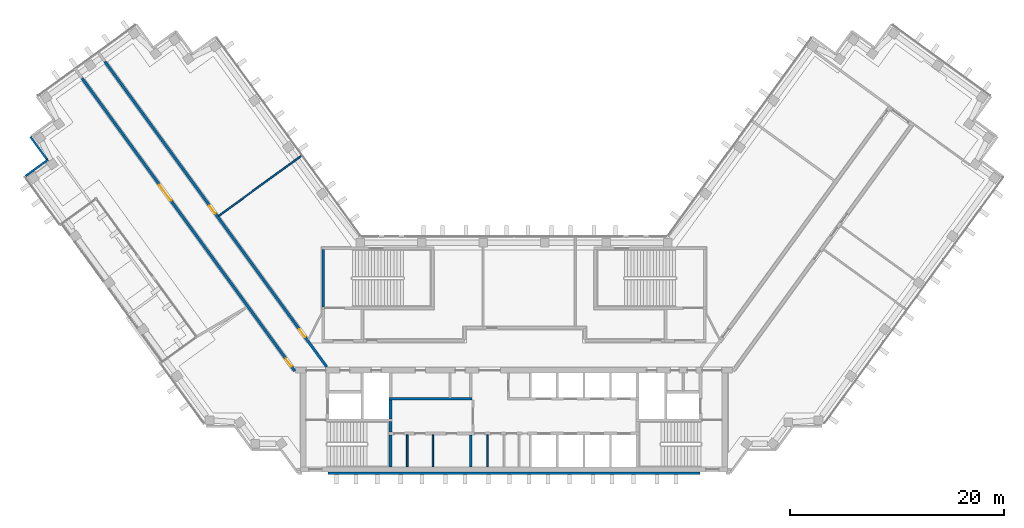
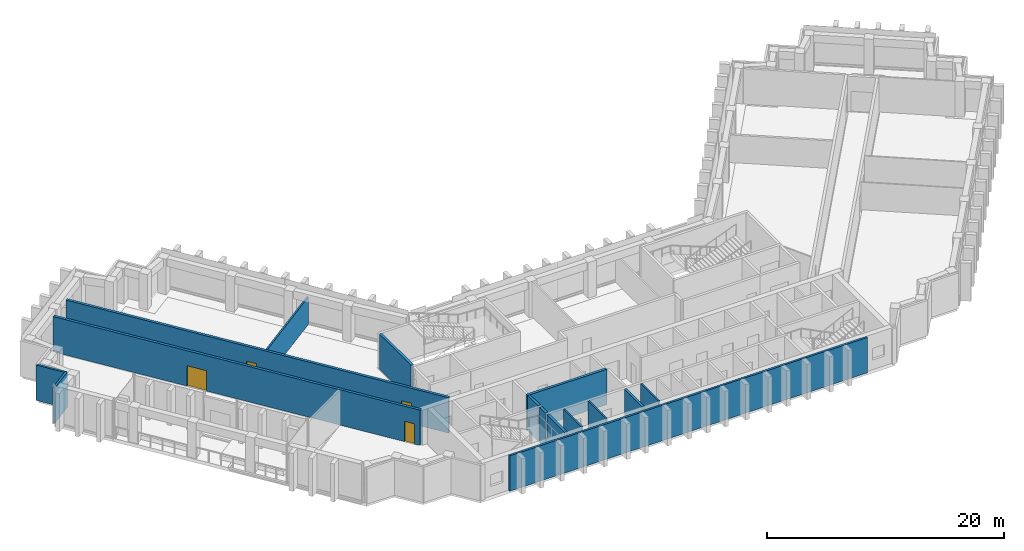
# One storey, part 6 of 13: 15 walls, 4 doors, 4 openings.
"""IFC4 building model written with IfcOpenShell, lengths in metres."""

import ifcopenshell
import ifcopenshell.guid

model = None  # the IFC model being written
_history = None  # IfcOwnerHistory: only IFC2X3 demands one
_inside = {}  # id of a spatial element -> (the spatial element, [elements in it])
_under = {}  # id of a project, library or spatial element -> (it, [spatial elements below it])
_declared = {}  # id of a project -> (the project, [libraries it declares])
_typed = {}  # id of a type object -> (the type object, [elements of that type])
_made_of = {}  # id of a material, layer set ... -> (it, [elements and type objects made of it])


def new_model(schema):
    """Start an empty IFC model of exactly this schema.

    Asked for "IFC4X3", IfcOpenShell would pick the latest addendum, in which some entities
    have other attributes; the version numbers below select the first issue.
    IFC2X3 requires an IfcOwnerHistory on every rooted entity: one is made here for all.
    """
    global model, _history
    if schema == "IFC4X3":
        model = ifcopenshell.file(schema_version=(4, 3, 0, 0))
    else:
        model = ifcopenshell.file(schema=schema)
    _inside.clear()
    _under.clear()
    _declared.clear()
    _typed.clear()
    _made_of.clear()
    _history = None
    if model.schema == "IFC2X3":
        org = make("IfcOrganization", Name="unknown")
        user = make(
            "IfcPersonAndOrganization",
            ThePerson=make("IfcPerson", FamilyName="unknown"),
            TheOrganization=org,
        )
        app = make(
            "IfcApplication",
            ApplicationDeveloper=org,
            Version="unknown",
            ApplicationFullName="unknown",
            ApplicationIdentifier="unknown",
        )
        _history = make(
            "IfcOwnerHistory",
            OwningUser=user,
            OwningApplication=app,
            ChangeAction="ADDED",
            CreationDate=0,
        )
    return model


def make(cls, **values):
    """One entity of the class cls with the attributes given. An attribute that is None is left unset."""
    return model.create_entity(
        cls, **{name: value for name, value in values.items() if value is not None}
    )


def rooted(cls, **values):
    """An entity with a GlobalId (a new one), such as an element, a storey or a relation."""
    return make(cls, GlobalId=ifcopenshell.guid.new(), OwnerHistory=_history, **values)


def si_unit(unit_type, name, prefix=None):
    """IfcSIUnit, for example si_unit("LENGTHUNIT", "METRE", prefix="MILLI")."""
    return make("IfcSIUnit", UnitType=unit_type, Prefix=prefix, Name=name)


def assignment(units):
    """IfcUnitAssignment: the units of a project."""
    return None if units is None else make("IfcUnitAssignment", Units=units)


def point(xyz):
    """IfcCartesianPoint."""
    return None if xyz is None else make("IfcCartesianPoint", Coordinates=xyz)


def direction(xyz):
    """IfcDirection."""
    return None if xyz is None else make("IfcDirection", DirectionRatios=xyz)


def frame(location, z_axis=None, x_axis=None):
    """IfcAxis2Placement3D, a coordinate frame: its origin and axes. An axis left out is left unset."""
    return make(
        "IfcAxis2Placement3D",
        Location=point(location),
        Axis=direction(z_axis),
        RefDirection=direction(x_axis),
    )


def frame_2d(location, x_axis=None):
    """IfcAxis2Placement2D, a coordinate frame in the plane: its origin and x axis."""
    return make(
        "IfcAxis2Placement2D", Location=point(location), RefDirection=direction(x_axis)
    )


def origin():
    """The frame at (0, 0, 0) with its axes left unset."""
    return frame((0.0, 0.0, 0.0))


def place(relative_to, where):
    """IfcLocalPlacement: puts the frame where relative to a parent placement (None: the world)."""
    return make(
        "IfcLocalPlacement", PlacementRelTo=relative_to, RelativePlacement=where
    )


def context(
    kind, dimensions, precision=None, world=None, true_north=None, identifier=None
):
    """IfcGeometricRepresentationContext, for example the 3D "Model" context."""
    return make(
        "IfcGeometricRepresentationContext",
        ContextIdentifier=identifier,
        ContextType=kind,
        CoordinateSpaceDimension=dimensions,
        Precision=precision,
        WorldCoordinateSystem=world,
        TrueNorth=true_north,
    )


def subcontext(parent, identifier, kind, view, scale=None):
    """IfcGeometricRepresentationSubContext, for example "Body" below "Model"."""
    return make(
        "IfcGeometricRepresentationSubContext",
        ContextIdentifier=identifier,
        ContextType=kind,
        ParentContext=parent,
        TargetScale=scale,
        TargetView=view,
    )


def project(units=None, contexts=None):
    """IfcProject with its units and contexts."""
    return rooted(
        "IfcProject",
        Name="project",
        RepresentationContexts=contexts,
        UnitsInContext=assignment(units),
    )


def spatial(cls, under=None, at=None, **own):
    """A site, building, storey or space (cls), placed at a placement, below another one or the project."""
    s = rooted(cls, ObjectPlacement=at, **own)
    if under is not None:
        _under.setdefault(under.id(), (under, []))[1].append(s)
    return s


def profile(cls, at=None, kind="AREA", **sizes):
    """A parametric profile (cls). Its sizes go by their IFC names, for example OverallWidth=200.0."""
    return make(cls, ProfileType=kind, Position=at, **sizes)


def rectangle(**sizes):
    """IfcRectangleProfileDef."""
    return profile("IfcRectangleProfileDef", **sizes)


def extrude(swept, where, along, depth):
    """IfcExtrudedAreaSolid: the profile swept, set in the frame where, extruded along a direction by depth."""
    return make(
        "IfcExtrudedAreaSolid",
        SweptArea=swept,
        Position=where,
        ExtrudedDirection=direction(along),
        Depth=depth,
    )


def shape(context_of_items, identifier, shape_type, items):
    """IfcShapeRepresentation: the items that make up one representation, for example the "Body"."""
    return make(
        "IfcShapeRepresentation",
        ContextOfItems=context_of_items,
        RepresentationIdentifier=identifier,
        RepresentationType=shape_type,
        Items=items,
    )


def material(Name=None, Category=None):
    """IfcMaterial."""
    return make("IfcMaterial", Name=Name, Category=Category)


def layer(
    of_material, thickness, ventilated=None, Name=None, Category=None, Priority=None
):
    """IfcMaterialLayer: one layer of a wall or slab, of a material (None: an air gap)."""
    return make(
        "IfcMaterialLayer",
        Material=of_material,
        LayerThickness=thickness,
        IsVentilated=ventilated,
        Name=Name,
        Category=Category,
        Priority=Priority,
    )


def layer_set(layers, Name=None):
    """IfcMaterialLayerSet."""
    return make("IfcMaterialLayerSet", MaterialLayers=layers, LayerSetName=Name)


def made_of(thing, what):
    """Note that an element or type object is made of a material, layer set ...; save() writes the relation."""
    if what is not None:
        _made_of.setdefault(what.id(), (what, []))[1].append(thing)
    return thing


def type_object(cls, material=None, **own):
    """A type object (cls), such as IfcWallType, which elements share."""
    return made_of(rooted(cls, **own), material)


def element(
    cls,
    number,
    at=None,
    inside=None,
    cuts=None,
    type_object=None,
    material=None,
    context=None,
    identifier="Body",
    shape_type=None,
    held_by="IfcProductDefinitionShape",
    body=None,
    shapes=None,
    **own,
):
    """One element of the class cls, such as IfcWall. Its Tag is "e" and its number.

    at: its placement. inside: the storey or other place that contains it. cuts: it is an
    opening in that element (IfcRelVoidsElement). A single representation is given by context,
    identifier, shape_type and body (its items); several are given by shapes. held_by: the class
    of the entity that holds the representations. save() writes the other relations.
    """
    e = rooted(cls, Tag="e%d" % number, ObjectPlacement=at, **own)
    if body is not None:
        shapes = [shape(context, identifier, shape_type, body)]
    if shapes is not None:
        e.Representation = make(held_by, Representations=shapes)
    if inside is not None:
        _inside.setdefault(inside.id(), (inside, []))[1].append(e)
    if cuts is not None:
        rooted(
            "IfcRelVoidsElement", RelatingBuildingElement=cuts, RelatedOpeningElement=e
        )
    if type_object is not None:
        _typed.setdefault(type_object.id(), (type_object, []))[1].append(e)
    return made_of(e, material)


def fill(opening, filler):
    """IfcRelFillsElement: the door or window that sits in an opening."""
    return rooted(
        "IfcRelFillsElement",
        RelatingOpeningElement=opening,
        RelatedBuildingElement=filler,
    )


def aggregate(whole, parts):
    """IfcRelAggregates: a whole, such as a stair, and the parts it consists of."""
    return rooted("IfcRelAggregates", RelatingObject=whole, RelatedObjects=parts)


def save(model, path):
    """Write the relations noted so far, then the file.

    IfcRelAggregates (storeys below a building ...), IfcRelContainedInSpatialStructure (elements
    in a storey), IfcRelDefinesByType, IfcRelAssociatesMaterial and IfcRelDeclares: one each for
    every whole, place, type object, material and project.
    """
    for whole, parts in _under.values():
        aggregate(whole, parts)
    for where, things in _inside.values():
        rooted(
            "IfcRelContainedInSpatialStructure",
            RelatedElements=things,
            RelatingStructure=where,
        )
    for kind, things in _typed.values():
        rooted("IfcRelDefinesByType", RelatedObjects=things, RelatingType=kind)
    for what, things in _made_of.values():
        rooted("IfcRelAssociatesMaterial", RelatedObjects=things, RelatingMaterial=what)
    for by, libraries in _declared.values():
        rooted("IfcRelDeclares", RelatingContext=by, RelatedDefinitions=libraries)
    model.write(path)


model = new_model("IFC4")

# Units and contexts
model_context = context("Model", 3, precision=1e-05, world=origin(), true_north=direction((0.0, 1.0)))
body_context = subcontext(model_context, "Body", "Model", "MODEL_VIEW")
ifc_project = project(units=[si_unit("LENGTHUNIT", "METRE"), si_unit("AREAUNIT", "SQUARE_METRE"), si_unit("VOLUMEUNIT", "CUBIC_METRE"), si_unit("PLANEANGLEUNIT", "RADIAN"), si_unit("MASSUNIT", "GRAM", prefix="KILO")], contexts=[model_context])

# Site, building, storey
site_placement = place(None, origin())
site = spatial("IfcSite", under=ifc_project, at=site_placement, CompositionType="ELEMENT")
building_placement = place(site_placement, origin())
building = spatial("IfcBuilding", under=site, at=building_placement, Name="Quipu Civic Tower", CompositionType="ELEMENT")
storey_placement = place(building_placement, frame((0.0, 0.0, 156.0)))
storey = spatial("IfcBuildingStorey", under=building, at=storey_placement, Name="L36", CompositionType="ELEMENT", Elevation=156.0)

# Walls
ifc_material_1 = material(Name="Double gypsum plasterboard with mineral wool")
ifc_layer_1 = layer(ifc_material_1, 0.14990234375)
ifc_layer_set_1 = layer_set([ifc_layer_1], Name="Double gypsum plasterboard with mineral wool")
wall_type_1 = type_object("IfcWallType", Name="Acoustic partition 150 plasterboard", PredefinedType="PARTITIONING", material=ifc_layer_set_1)
wall_1_placement = place(storey_placement, frame((-19.938232421875, 18.62939453125, 0.0), z_axis=(0.0, 0.0, 1.0), x_axis=(-0.80900684162, -0.587799226107, 0.0)))
element("IfcWall", 1, at=wall_1_placement, inside=storey, type_object=wall_type_1, Name="Partition P06", PredefinedType="PARTITIONING", context=body_context, shape_type="SweptSolid", body=[
    extrude(rectangle(XDim=9.550048828125, YDim=0.14990234375, at=frame_2d((4.77490234375, 0.0))), origin(), (0.0, 0.0, 1.0), 2.85009765625),
])
ifc_material_2 = material(Name="Concrete C70/85", Category="concrete")
ifc_layer_2 = layer(ifc_material_2, 0.25)
ifc_layer_set_2 = layer_set([ifc_layer_2], Name="Concrete C70/85")
wall_type_2 = type_object("IfcWallType", Name="Core wall 250", PredefinedType="SHEAR", material=ifc_layer_set_2)
wall_2_placement = place(storey_placement, frame((-11.574951171875, -10.5, 0.0), z_axis=(0.0, 0.0, 1.0), x_axis=(0.0, 1.0, 0.0)))
element("IfcWall", 2, at=wall_2_placement, inside=storey, type_object=wall_type_2, Name="Core wall", PredefinedType="SHEAR", context=body_context, shape_type="SweptSolid", body=[
    extrude(rectangle(XDim=3.0, YDim=0.25, at=frame_2d((1.5, 0.0))), origin(), (0.0, 0.0, 1.0), 3.64990234375),
])
wall_3_placement = place(storey_placement, frame((-11.574951171875, -7.25, 0.0), z_axis=(0.0, 0.0, 1.0), x_axis=(0.0, 1.0, 0.0)))
element("IfcWall", 3, at=wall_3_placement, inside=storey, type_object=wall_type_2, Name="Core wall", PredefinedType="SHEAR", context=body_context, shape_type="SweptSolid", body=[
    extrude(rectangle(XDim=1.0, YDim=0.25, at=frame_2d((0.5, 0.0))), origin(), (0.0, 0.0, 1.0), 3.64990234375),
])
wall_4_placement = place(storey_placement, frame((-11.574951171875, -6.0, 0.0), z_axis=(0.0, 0.0, 1.0), x_axis=(0.0, 1.0, 0.0)))
element("IfcWall", 4, at=wall_4_placement, inside=storey, type_object=wall_type_2, Name="Core wall", PredefinedType="SHEAR", context=body_context, shape_type="SweptSolid", body=[
    extrude(rectangle(XDim=1.75, YDim=0.25, at=frame_2d((0.875, 0.0))), origin(), (0.0, 0.0, 1.0), 3.64990234375),
])
wall_5_placement = place(storey_placement, frame((-11.699951171875, -4.125, 0.0), z_axis=(0.0, 0.0, 1.0), x_axis=(1.0, 0.0, 0.0)))
element("IfcWall", 5, at=wall_5_placement, inside=storey, type_object=wall_type_2, Name="Core wall", PredefinedType="SHEAR", context=body_context, shape_type="SweptSolid", body=[
    extrude(rectangle(XDim=7.75, YDim=0.25, at=frame_2d((3.875, 0.0))), origin(), (0.0, 0.0, 1.0), 3.64990234375),
])
wall_6_placement = place(storey_placement, frame((-17.875, 4.5, 0.0), z_axis=(0.0, 0.0, 1.0), x_axis=(0.0, 1.0, 0.0)))
element("IfcWall", 6, at=wall_6_placement, inside=storey, type_object=wall_type_2, Name="Core wall", PredefinedType="SHEAR", context=body_context, shape_type="SweptSolid", body=[
    extrude(rectangle(XDim=5.35009765625, YDim=0.25, at=frame_2d((2.675048828125, 0.0))), origin(), (0.0, 0.0, 1.0), 3.64990234375),
])

# Wall, openings, doors
ifc_material_3 = material(Name="Concrete C50/60", Category="concrete")
ifc_layer_3 = layer(ifc_material_3, 0.25)
ifc_layer_set_3 = layer_set([ifc_layer_3], Name="Concrete C50/60")
wall_type_3 = type_object("IfcWallType", Name="Corridor wall 250 concrete", PredefinedType="SOLIDWALL", material=ifc_layer_set_3)
wall_7_placement = place(storey_placement, frame((-20.531005859375, -1.5234375, 0.0), z_axis=(0.0, 0.0, 1.0), x_axis=(-0.587781654618, 0.809019608226, 0.0)))
wall_7 = element("IfcWall", 7, at=wall_7_placement, inside=storey, type_object=wall_type_3, Name="Corridor wall C05", PredefinedType="SOLIDWALL", context=body_context, shape_type="SweptSolid", body=[
    extrude(rectangle(XDim=33.9111328125, YDim=0.25, at=frame_2d((16.95556640625, 0.0))), origin(), (0.0, 0.0, 1.0), 3.64990234375),
])
opening_1_placement = place(wall_7_placement, frame((19.743408203125, 0.0, 0.0)))
opening_1 = element("IfcOpeningElement", 8, at=opening_1_placement, cuts=wall_7, Name="Opening D012", PredefinedType="OPENING", context=body_context, shape_type="SweptSolid", body=[
    extrude(rectangle(XDim=1.800048828125, YDim=2.10009765625, at=frame_2d((0.89990234375, 1.050048828125))), frame((0.0, 0.135009765625, 0.0), z_axis=(0.0, -1.0, 0.0), x_axis=(1.0, 0.0, 0.0)), (0.0, 0.0, 1.0), 0.27001953125),
])
opening_2_placement = place(wall_7_placement, frame((0.53271484375, 0.0, 0.0)))
opening_2 = element("IfcOpeningElement", 9, at=opening_2_placement, cuts=wall_7, Name="Opening D013", PredefinedType="OPENING", context=body_context, shape_type="SweptSolid", body=[
    extrude(rectangle(XDim=0.89990234375, YDim=2.10009765625, at=frame_2d((0.449951171875, 1.050048828125))), frame((0.0, 0.135009765625, 0.0), z_axis=(0.0, -1.0, 0.0), x_axis=(1.0, 0.0, 0.0)), (0.0, 0.0, 1.0), 0.27001953125),
])
ifc_material_4 = material(Name="Fire rated timber door set with metal frame", Category="wood")
door_type_1 = type_object("IfcDoorType", Name="Double door 1800 x 2100 FD60", OperationType="DOUBLE_DOOR_SINGLE_SWING", PredefinedType="DOOR", material=ifc_material_4)
door_1_placement = place(opening_1_placement, origin())
door_1 = element("IfcDoor", 10, at=door_1_placement, inside=storey, type_object=door_type_1, Name="Door D012", OperationType="DOUBLE_DOOR_SINGLE_SWING", OverallHeight=2.10009765625, OverallWidth=1.800048828125, PredefinedType="DOOR", context=body_context, shape_type="SweptSolid", body=[
    extrude(rectangle(XDim=1.800048828125, YDim=2.10009765625, at=frame_2d((0.89990234375, 1.050048828125))), frame((0.0, 0.02490234375, 0.0), z_axis=(0.0, -1.0, 0.0), x_axis=(1.0, 0.0, 0.0)), (0.0, 0.0, 1.0), 0.050048828125),
])
fill(opening_1, door_1)
ifc_material_5 = material(Name="Fire rated timber door set with metal frame", Category="wood")
door_type_2 = type_object("IfcDoorType", Name="Single door 900 x 2100 FD60", OperationType="NOTDEFINED", PredefinedType="DOOR", material=ifc_material_5)
door_2_placement = place(opening_2_placement, origin())
door_2 = element("IfcDoor", 11, at=door_2_placement, inside=storey, type_object=door_type_2, Name="Door D013", OperationType="SINGLE_SWING_LEFT", OverallHeight=2.10009765625, OverallWidth=0.89990234375, PredefinedType="DOOR", context=body_context, shape_type="SweptSolid", body=[
    extrude(rectangle(XDim=0.89990234375, YDim=2.10009765625, at=frame_2d((0.449951171875, 1.050048828125))), frame((0.0, 0.02490234375, 0.0), z_axis=(0.0, -1.0, 0.0), x_axis=(1.0, 0.0, 0.0)), (0.0, 0.0, 1.0), 0.050048828125),
])
fill(opening_2, door_2)

wall_8_placement = place(storey_placement, frame((-38.31982421875, 27.46923828125, 0.0), z_axis=(0.0, 0.0, 1.0), x_axis=(0.587788021768, -0.809014982226, 0.0)))
wall_8 = element("IfcWall", 12, at=wall_8_placement, inside=storey, type_object=wall_type_3, Name="Corridor wall C06", PredefinedType="SOLIDWALL", context=body_context, shape_type="SweptSolid", body=[
    extrude(rectangle(XDim=35.34423828125, YDim=0.25, at=frame_2d((17.672119140625, 0.0))), origin(), (0.0, 0.0, 1.0), 3.64990234375),
])
opening_3_placement = place(wall_8_placement, frame((31.002685546875, 0.0, 0.0)))
opening_3 = element("IfcOpeningElement", 13, at=opening_3_placement, cuts=wall_8, Name="Opening D011", PredefinedType="OPENING", context=body_context, shape_type="SweptSolid", body=[
    extrude(rectangle(XDim=0.89990234375, YDim=2.10009765625, at=frame_2d((0.449951171875, 1.050048828125))), frame((0.0, 0.135009765625, 0.0), z_axis=(0.0, -1.0, 0.0), x_axis=(1.0, 0.0, 0.0)), (0.0, 0.0, 1.0), 0.27001953125),
])
opening_4_placement = place(wall_8_placement, frame((16.6865234375, 0.0, 0.0)))
opening_4 = element("IfcOpeningElement", 14, at=opening_4_placement, cuts=wall_8, Name="Opening D010", PredefinedType="OPENING", context=body_context, shape_type="SweptSolid", body=[
    extrude(rectangle(XDim=0.89990234375, YDim=2.10009765625, at=frame_2d((0.449951171875, 1.050048828125))), frame((0.0, 0.135009765625, 0.0), z_axis=(0.0, -1.0, 0.0), x_axis=(1.0, 0.0, 0.0)), (0.0, 0.0, 1.0), 0.27001953125),
])
door_3_placement = place(opening_3_placement, origin())
door_3 = element("IfcDoor", 15, at=door_3_placement, inside=storey, type_object=door_type_2, Name="Door D011", OperationType="SINGLE_SWING_RIGHT", OverallHeight=2.10009765625, OverallWidth=0.89990234375, PredefinedType="DOOR", context=body_context, shape_type="SweptSolid", body=[
    extrude(rectangle(XDim=0.89990234375, YDim=2.10009765625, at=frame_2d((0.449951171875, 1.050048828125))), frame((0.0, 0.02490234375, 0.0), z_axis=(0.0, -1.0, 0.0), x_axis=(1.0, 0.0, 0.0)), (0.0, 0.0, 1.0), 0.050048828125),
])
fill(opening_3, door_3)
door_4_placement = place(opening_4_placement, origin())
door_4 = element("IfcDoor", 16, at=door_4_placement, inside=storey, type_object=door_type_2, Name="Door D010", OperationType="SINGLE_SWING_RIGHT", OverallHeight=2.10009765625, OverallWidth=0.89990234375, PredefinedType="DOOR", context=body_context, shape_type="SweptSolid", body=[
    extrude(rectangle(XDim=0.89990234375, YDim=2.10009765625, at=frame_2d((0.449951171875, 1.050048828125))), frame((0.0, 0.02490234375, 0.0), z_axis=(0.0, -1.0, 0.0), x_axis=(1.0, 0.0, 0.0)), (0.0, 0.0, 1.0), 0.050048828125),
])
fill(opening_4, door_4)

# Walls
ifc_material_6 = material(Name="Gypsum board partition")
ifc_layer_4 = layer(ifc_material_6, 0.14990234375)
ifc_layer_set_4 = layer_set([ifc_layer_4], Name="Gypsum board partition")
wall_type_4 = type_object("IfcWallType", Name="Partition 150", PredefinedType="PARTITIONING", material=ifc_layer_set_4)
for number, where, z_axis, x_axis, name in (
    (17, (-10.0, -10.5, 0.0), (0.0, 0.0, 1.0), (0.0, 1.0, 0.0), "Partition"),
    (18, (-7.60009765625, -10.5, 0.0), (0.0, 0.0, 1.0), (0.0, 1.0, 0.0), "Partition"),
    (19, (-2.47509765625, -10.5, 0.0), (0.0, 0.0, 1.0), (0.0, 1.0, 0.0), "Partition"),
):
    element("IfcWall", number, at=place(storey_placement, frame(where, z_axis=z_axis, x_axis=x_axis)), inside=storey, type_object=wall_type_4, Name=name, PredefinedType="PARTITIONING", context=body_context, shape_type="SweptSolid", body=[
        extrude(rectangle(XDim=3.0, YDim=0.14990234375, at=frame_2d((1.5, 0.0))), origin(), (0.0, 0.0, 1.0), 3.64990234375),
    ])
ifc_material_7 = material(Name="Precast concrete C40/50", Category="concrete")
wall_type_5 = type_object("IfcWallType", Name="Precast cladding wall", PredefinedType="SOLIDWALL", material=ifc_material_7)
wall_9_placement = place(storey_placement, frame((-45.29638671875, 20.43359375, 0.0), z_axis=(0.0, 0.0, 1.0), x_axis=(0.587762999008, -0.809033161865, 0.0)))
element("IfcWall", 20, at=wall_9_placement, inside=storey, type_object=wall_type_5, Name="Precast cladding wall L36 P02", PredefinedType="SOLIDWALL", context=body_context, shape_type="SweptSolid", body=[
    extrude(rectangle(XDim=2.699951171875, YDim=0.199951171875, at=frame_2d((1.35009765625, 0.0))), origin(), (0.0, 0.0, 1.0), 3.64990234375),
])
wall_10_placement = place(storey_placement, frame((-43.658203125, 18.271728515625, 0.0), z_axis=(0.0, 0.0, 1.0), x_axis=(-0.808979656733, -0.587836639716, 0.0)))
element("IfcWall", 21, at=wall_10_placement, inside=storey, type_object=wall_type_5, Name="Precast cladding wall L36 P03", PredefinedType="SOLIDWALL", context=body_context, shape_type="SweptSolid", body=[
    extrude(rectangle(XDim=2.599853515625, YDim=0.199951171875, at=frame_2d((1.2998046875, 0.0))), origin(), (0.0, 0.0, 1.0), 3.64990234375),
])
wall_11_placement = place(storey_placement, frame((-17.44384765625, -11.087890625, 0.0), z_axis=(0.0, 0.0, 1.0), x_axis=(1.0, 0.0, 0.0)))
element("IfcWall", 22, at=wall_11_placement, inside=storey, type_object=wall_type_5, Name="Precast cladding wall L36 20", PredefinedType="SOLIDWALL", context=body_context, shape_type="SweptSolid", body=[
    extrude(rectangle(XDim=34.8876953125, YDim=0.199951171875, at=frame_2d((17.44384765625, 0.0))), origin(), (0.0, 0.0, 1.0), 3.64990234375),
])
ifc_material_8 = material(Name="Concrete C40/50", Category="concrete")
ifc_layer_5 = layer(ifc_material_8, 0.199951171875)
ifc_layer_set_5 = layer_set([ifc_layer_5], Name="Concrete C40/50")
wall_type_6 = type_object("IfcWallType", Name="Shaft wall 200", PredefinedType="SOLIDWALL", material=ifc_layer_set_5)
wall_12_placement = place(storey_placement, frame((-4.050048828125, -10.5, 0.0), z_axis=(0.0, 0.0, 1.0), x_axis=(0.0, 1.0, 0.0)))
element("IfcWall", 23, at=wall_12_placement, inside=storey, type_object=wall_type_6, Name="Shaft wall", PredefinedType="SOLIDWALL", context=body_context, shape_type="SweptSolid", body=[
    extrude(rectangle(XDim=3.0, YDim=0.199951171875, at=frame_2d((1.5, 0.0))), origin(), (0.0, 0.0, 1.0), 3.64990234375),
])

save(model, "model.ifc")
